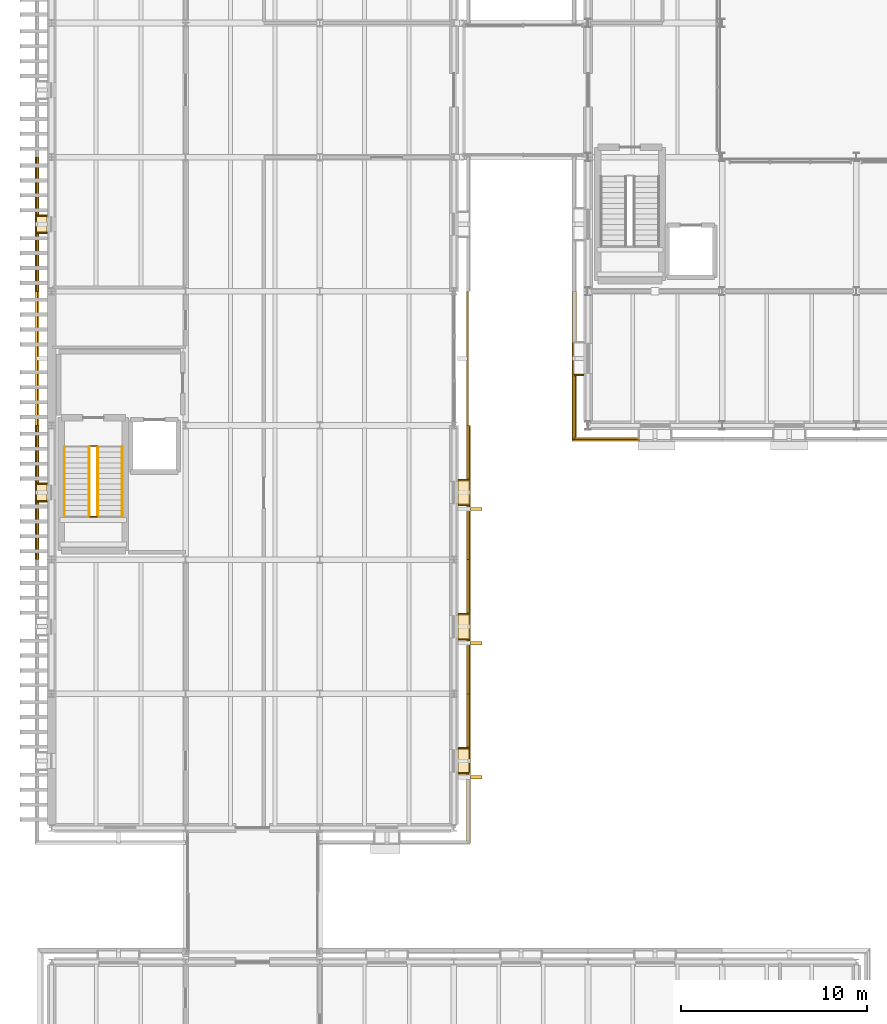
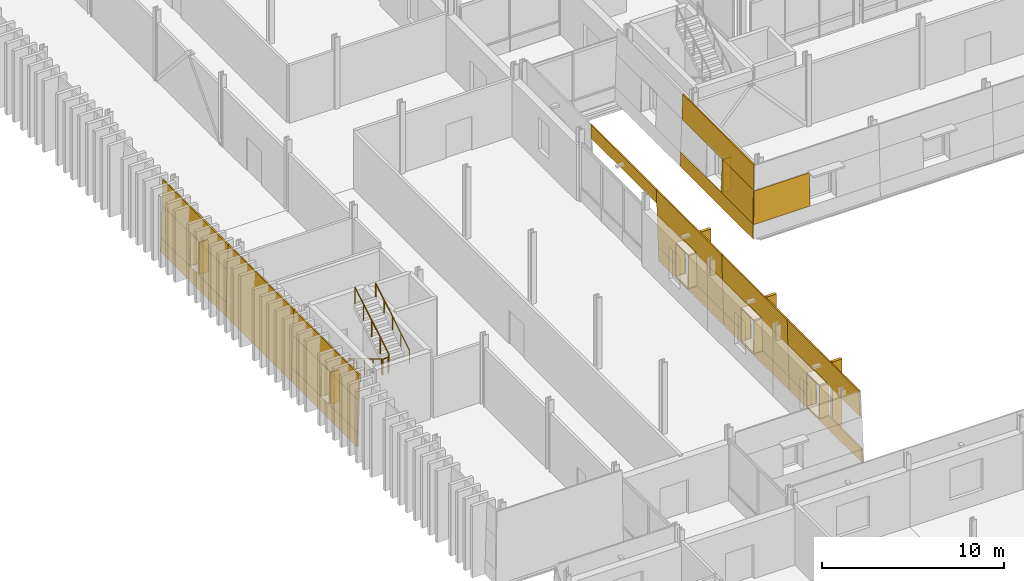
# One storey, part 102 of 121: 46 coverings, 6 railings, 3 shading devices.
"""IFC4 building model written with IfcOpenShell, lengths in metres."""

from ifc_helpers import new_model, si_unit, direction, frame, origin, origin_2d, place, context, subcontext, project, spatial, polyline, rectangle, circle, outline, extrude, material, layer, layer_set, type_object, element, save


model = new_model("IFC4")

# Units and contexts
model_context = context("Model", 3, precision=1e-05, world=origin(), true_north=direction((0.0, 1.0)))
body_context = subcontext(model_context, "Body", "Model", "MODEL_VIEW")
ifc_project = project(units=[si_unit("LENGTHUNIT", "METRE"), si_unit("AREAUNIT", "SQUARE_METRE"), si_unit("VOLUMEUNIT", "CUBIC_METRE"), si_unit("PLANEANGLEUNIT", "RADIAN"), si_unit("MASSUNIT", "GRAM", prefix="KILO")], contexts=[model_context])

# Site, building, storey
site_placement = place(None, origin())
site = spatial("IfcSite", under=ifc_project, at=site_placement, CompositionType="ELEMENT")
building_placement = place(site_placement, origin())
building = spatial("IfcBuilding", under=site, at=building_placement, Name="Narikvali Park Central Library", CompositionType="ELEMENT")
storey_placement = place(building_placement, frame((0.0, 0.0, 5.39990234375)))
storey = spatial("IfcBuildingStorey", under=building, at=storey_placement, Name="L01", CompositionType="ELEMENT", Elevation=5.39990234375)

# Coverings
ifc_material_1 = material(Name="White Honed Limestone Cladding", Category="masonry")
ifc_layer_1 = layer(ifc_material_1, 0.0849609375, Name="White Honed Limestone Cladding")
ifc_layer_set_1 = layer_set([ifc_layer_1], Name="White Honed Limestone Cladding")
covering_type_1 = type_object("IfcCoveringType", Name="Battered White Limestone Facade Cladding Panel", PredefinedType="CLADDING", material=ifc_layer_set_1)
covering_1_placement = place(storey_placement, frame((27.973876953125, 49.573974609375, 0.9501953125), z_axis=(0.0, -0.999435139525, 0.033606574995), x_axis=(1.0, 0.0, 0.0)))
element("IfcCovering", 1, at=covering_1_placement, inside=storey, type_object=covering_type_1, Name="V4 L01 S Battered Limestone Jamb Pier L B01", PredefinedType="CLADDING", context=body_context, shape_type="SweptSolid", body=[
    extrude(outline(polyline([(0.0, 0.0), (3.586181640625, 0.0), (3.586181640625, 2.2011945396684887), (0.07421875, 2.2011945396684887), (0.0, 0.0)])), origin(), (0.0, 0.0, -1.0), 0.0849609375),
])
covering_2_placement = place(storey_placement, frame((27.94189453125, 57.60009765625, 0.0), z_axis=(-0.999434023877, 0.0, 0.033639737186), x_axis=(0.0, -1.0, 0.0)))
element("IfcCovering", 2, at=covering_2_placement, inside=storey, type_object=covering_type_1, Name="V4 L01 W Battered Limestone Spandrel B09", PredefinedType="CLADDING", context=body_context, shape_type="SweptSolid", body=[
    extrude(outline(polyline([(0.0, 0.0), (7.97314453125, 0.0), (7.941162109375, 0.9507334049069504), (0.0, 0.9507334049069504), (0.0, 0.0)])), origin(), (0.0, 0.0, -1.0), 0.0849609375),
])
covering_3_placement = place(storey_placement, frame((28.048095703125, 57.60009765625, 3.150146484375), z_axis=(-0.999436338943, 0.0, 0.0335708862), x_axis=(0.0, -1.0, 0.0)))
element("IfcCovering", 3, at=covering_3_placement, inside=storey, type_object=covering_type_1, Name="V4 L01 W Battered Limestone Lintel B09", PredefinedType="CLADDING", context=body_context, shape_type="SweptSolid", body=[
    extrude(outline(polyline([(0.0, 0.0), (7.8671875, 0.0), (7.8115234375, 1.6508328539414203), (0.0, 1.6508328539414203), (0.0, 0.0)])), origin(), (0.0, 0.0, -1.0), 0.0849609375),
])
covering_4_placement = place(storey_placement, frame((27.973876953125, 53.159912109375, 0.9501953125), z_axis=(-0.999431408105, 0.0, 0.033717361898), x_axis=(0.0, -1.0, 0.0)))
element("IfcCovering", 4, at=covering_4_placement, inside=storey, type_object=covering_type_1, Name="V4 L01 W Battered Limestone Jamb Pier R B09", PredefinedType="CLADDING", context=body_context, shape_type="SweptSolid", body=[
    extrude(outline(polyline([(0.0, 0.0), (3.5009765625, 0.0), (3.427001953125, 2.201202757922529), (0.0, 2.201202757922529), (0.0, 0.0)])), origin(), (0.0, 0.0, -1.0), 0.0849609375),
])
covering_5_placement = place(storey_placement, frame((22.48681640625, 27.998291015625, 0.0), z_axis=(0.999600837605, 0.0, 0.028251822234), x_axis=(0.0, 1.0, 0.0)))
element("IfcCovering", 5, at=covering_5_placement, inside=storey, type_object=covering_type_1, Name="V5 L01 E Battered Limestone Spandrel B01", PredefinedType="CLADDING", context=body_context, shape_type="SweptSolid", body=[
    extrude(outline(polyline([(0.0, 0.0), (8.001708984375, 0.0), (8.001708984375, 0.9505747461924048), (0.02685546875, 0.9505747461924048), (0.0, 0.0)])), origin(), (0.0, 0.0, -1.0), 0.0849609375),
])
covering_6_placement = place(storey_placement, frame((22.39892578125, 28.086181640625, 3.10009765625), z_axis=(0.99959594144, 0.0, 0.02842452914), x_axis=(0.0, 1.0, 0.0)))
element("IfcCovering", 6, at=covering_6_placement, inside=storey, type_object=covering_type_1, Name="V5 L01 E Battered Limestone Lintel B01", PredefinedType="CLADDING", context=body_context, shape_type="SweptSolid", body=[
    extrude(outline(polyline([(0.0, 0.0), (7.913818359375, 0.0), (7.913818359375, 1.7006383293495886), (0.04833984375, 1.7006383293495886), (0.0, 0.0)])), origin(), (0.0, 0.0, -1.0), 0.0849609375),
])
covering_7_placement = place(storey_placement, frame((22.4599609375, 33.0400390625, 0.9501953125), z_axis=(0.99959725493, 0.0, 0.028378300447), x_axis=(0.0, 1.0, 0.0)))
element("IfcCovering", 7, at=covering_7_placement, inside=storey, type_object=covering_type_1, Name="V5 L01 E Battered Limestone Jamb Pier R B01", PredefinedType="CLADDING", context=body_context, shape_type="SweptSolid", body=[
    extrude(outline(polyline([(0.0, 0.0), (2.9599609375, 0.0), (2.9599609375, 2.150768555182125), (0.0, 2.150768555182125), (0.0, 0.0)])), origin(), (0.0, 0.0, -1.0), 0.0849609375),
])
covering_8_placement = place(storey_placement, frame((22.48681640625, 36.0, 0.0), z_axis=(0.999600837605, 0.0, 0.028251822234), x_axis=(0.0, 1.0, 0.0)))
element("IfcCovering", 8, at=covering_8_placement, inside=storey, type_object=covering_type_1, Name="V5 L01 E Battered Limestone Spandrel B02", PredefinedType="CLADDING", context=body_context, shape_type="SweptSolid", body=[
    extrude(outline(polyline([(0.0, 0.0), (7.199951171875, 0.0), (7.199951171875, 0.9505747461924048), (0.0, 0.9505747461924048), (0.0, 0.0)])), origin(), (0.0, 0.0, -1.0), 0.0849609375),
])
covering_9_placement = place(storey_placement, frame((22.39892578125, 36.0, 3.10009765625), z_axis=(0.99959594144, 0.0, 0.02842452914), x_axis=(0.0, 1.0, 0.0)))
element("IfcCovering", 9, at=covering_9_placement, inside=storey, type_object=covering_type_1, Name="V5 L01 E Battered Limestone Lintel B02", PredefinedType="CLADDING", context=body_context, shape_type="SweptSolid", body=[
    extrude(outline(polyline([(0.0, 0.0), (7.199951171875, 0.0), (7.199951171875, 1.7006383293495888), (0.0, 1.7006383293495888), (0.0, 0.0)])), origin(), (0.0, 0.0, -1.0), 0.0849609375),
])
for number, where, z_axis, x_axis, name in (
    (10, (22.4599609375, 36.0, 0.9501953125), (0.99959725493, 0.0, 0.028378300447), (0.0, 1.0, 0.0), "V5 L01 E Battered Limestone Jamb Pier L B02"),
    (11, (22.4599609375, 40.239990234375, 0.9501953125), (0.99959725493, 0.0, 0.028378300447), (0.0, 1.0, 0.0), "V5 L01 E Battered Limestone Jamb Pier R B02"),
):
    element("IfcCovering", number, at=place(storey_placement, frame(where, z_axis=z_axis, x_axis=x_axis)), inside=storey, type_object=covering_type_1, Name=name, PredefinedType="CLADDING", context=body_context, shape_type="SweptSolid", body=[
        extrude(outline(polyline([(0.0, 0.0), (2.9599609375, 0.0), (2.9599609375, 2.150768555182125), (0.0, 2.150768555182125), (0.0, 0.0)])), origin(), (0.0, 0.0, -1.0), 0.0849609375),
    ])
covering_10_placement = place(storey_placement, frame((22.48681640625, 43.199951171875, 0.0), z_axis=(0.999600837605, 0.0, 0.028251822234), x_axis=(0.0, 1.0, 0.0)))
element("IfcCovering", 12, at=covering_10_placement, inside=storey, type_object=covering_type_1, Name="V5 L01 E Battered Limestone Spandrel B03", PredefinedType="CLADDING", context=body_context, shape_type="SweptSolid", body=[
    extrude(outline(polyline([(0.0, 0.0), (7.199951171875, 0.0), (7.199951171875, 0.9505747461924048), (0.0, 0.9505747461924048), (0.0, 0.0)])), origin(), (0.0, 0.0, -1.0), 0.0849609375),
])
covering_11_placement = place(storey_placement, frame((22.39892578125, 43.199951171875, 3.10009765625), z_axis=(0.99959594144, 0.0, 0.02842452914), x_axis=(0.0, 1.0, 0.0)))
element("IfcCovering", 13, at=covering_11_placement, inside=storey, type_object=covering_type_1, Name="V5 L01 E Battered Limestone Lintel B03", PredefinedType="CLADDING", context=body_context, shape_type="SweptSolid", body=[
    extrude(outline(polyline([(0.0, 0.0), (7.199951171875, 0.0), (7.199951171875, 1.7006383293495888), (0.0, 1.7006383293495888), (0.0, 0.0)])), origin(), (0.0, 0.0, -1.0), 0.0849609375),
])
for number, where, z_axis, x_axis, name in (
    (14, (22.4599609375, 43.199951171875, 0.9501953125), (0.99959725493, 0.0, 0.028378300447), (0.0, 1.0, 0.0), "V5 L01 E Battered Limestone Jamb Pier L B03"),
    (15, (22.4599609375, 47.43994140625, 0.9501953125), (0.99959725493, 0.0, 0.028378300447), (0.0, 1.0, 0.0), "V5 L01 E Battered Limestone Jamb Pier R B03"),
):
    element("IfcCovering", number, at=place(storey_placement, frame(where, z_axis=z_axis, x_axis=x_axis)), inside=storey, type_object=covering_type_1, Name=name, PredefinedType="CLADDING", context=body_context, shape_type="SweptSolid", body=[
        extrude(outline(polyline([(0.0, 0.0), (2.9599609375, 0.0), (2.9599609375, 2.150768555182125), (0.0, 2.150768555182125), (0.0, 0.0)])), origin(), (0.0, 0.0, -1.0), 0.0849609375),
    ])
covering_12_placement = place(storey_placement, frame((22.376708984375, 50.39990234375, 3.880126953125), z_axis=(0.999597048098, 0.0, 0.028385584965), x_axis=(0.0, 1.0, 0.0)))
element("IfcCovering", 16, at=covering_12_placement, inside=storey, type_object=covering_type_1, Name="V5 L01 E Battered Limestone Spandrel Header B04", PredefinedType="CLADDING", context=body_context, shape_type="SweptSolid", body=[
    extrude(outline(polyline([(0.0, 0.0), (7.2001953125, 0.0), (7.2001953125, 0.9202927086973737), (0.0, 0.9202927086973737), (0.0, 0.0)])), origin(), (0.0, 0.0, -1.0), 0.0849609375),
])
covering_13_placement = place(storey_placement, frame((-0.88671875, 64.800048828125, 0.0), z_axis=(-0.999600837605, 0.0, 0.028251822234), x_axis=(0.0, -1.0, 0.0)))
element("IfcCovering", 17, at=covering_13_placement, inside=storey, type_object=covering_type_1, Name="V5 L01 W Battered Limestone Spandrel B07", PredefinedType="CLADDING", context=body_context, shape_type="SweptSolid", body=[
    extrude(outline(polyline([(0.0, 0.0), (7.199951171875, 0.0), (7.199951171875, 0.9505747461924048), (0.0, 0.9505747461924048), (0.0, 0.0)])), origin(), (0.0, 0.0, -1.0), 0.0849609375),
])
covering_14_placement = place(storey_placement, frame((-0.798828125, 64.800048828125, 3.10009765625), z_axis=(-0.99959594144, 0.0, 0.02842452914), x_axis=(0.0, -1.0, 0.0)))
element("IfcCovering", 18, at=covering_14_placement, inside=storey, type_object=covering_type_1, Name="V5 L01 W Battered Limestone Lintel B07", PredefinedType="CLADDING", context=body_context, shape_type="SweptSolid", body=[
    extrude(outline(polyline([(0.0, 0.0), (7.199951171875, 0.0), (7.199951171875, 1.7006383293495888), (0.0, 1.7006383293495888), (0.0, 0.0)])), origin(), (0.0, 0.0, -1.0), 0.0849609375),
])
covering_15_placement = place(storey_placement, frame((-0.85986328125, 64.800048828125, 0.9501953125), z_axis=(-0.99959725493, 0.0, 0.028378300447), x_axis=(0.0, -1.0, 0.0)))
element("IfcCovering", 19, at=covering_15_placement, inside=storey, type_object=covering_type_1, Name="V5 L01 W Battered Limestone Jamb Pier L B07", PredefinedType="CLADDING", context=body_context, shape_type="SweptSolid", body=[
    extrude(outline(polyline([(0.0, 0.0), (3.16015625, 0.0), (3.16015625, 2.150768555182125), (0.0, 2.150768555182125), (0.0, 0.0)])), origin(), (0.0, 0.0, -1.0), 0.0849609375),
])
covering_16_placement = place(storey_placement, frame((-0.85986328125, 60.760009765625, 0.9501953125), z_axis=(-0.99959725493, 0.0, 0.028378300447), x_axis=(0.0, -1.0, 0.0)))
element("IfcCovering", 20, at=covering_16_placement, inside=storey, type_object=covering_type_1, Name="V5 L01 W Battered Limestone Jamb Pier R B07", PredefinedType="CLADDING", context=body_context, shape_type="SweptSolid", body=[
    extrude(outline(polyline([(0.0, 0.0), (3.159912109375, 0.0), (3.159912109375, 2.150768555182125), (0.0, 2.150768555182125), (0.0, 0.0)])), origin(), (0.0, 0.0, -1.0), 0.0849609375),
])
covering_17_placement = place(storey_placement, frame((-0.88671875, 57.60009765625, 0.0), z_axis=(-0.999597500885, 0.0, 0.028369635598), x_axis=(0.0, -1.0, 0.0)))
element("IfcCovering", 21, at=covering_17_placement, inside=storey, type_object=covering_type_1, Name="V5 L01 W Battered Limestone Panel B08", PredefinedType="CLADDING", context=body_context, shape_type="SweptSolid", body=[
    extrude(outline(polyline([(0.0, 0.0), (7.2001953125, 0.0), (7.2001953125, 4.8019816214767035), (0.0, 4.8019816214767035), (0.0, 0.0)])), origin(), (0.0, 0.0, -1.0), 0.0849609375),
])
covering_18_placement = place(storey_placement, frame((-0.88671875, 50.39990234375, 0.0), z_axis=(-0.999600837605, 0.0, 0.028251822234), x_axis=(0.0, -1.0, 0.0)))
element("IfcCovering", 22, at=covering_18_placement, inside=storey, type_object=covering_type_1, Name="V5 L01 W Battered Limestone Spandrel B09", PredefinedType="CLADDING", context=body_context, shape_type="SweptSolid", body=[
    extrude(outline(polyline([(0.0, 0.0), (7.199951171875, 0.0), (7.199951171875, 0.9505747461924048), (0.0, 0.9505747461924048), (0.0, 0.0)])), origin(), (0.0, 0.0, -1.0), 0.0849609375),
])
covering_19_placement = place(storey_placement, frame((-0.798828125, 50.39990234375, 3.10009765625), z_axis=(-0.99959594144, 0.0, 0.02842452914), x_axis=(0.0, -1.0, 0.0)))
element("IfcCovering", 23, at=covering_19_placement, inside=storey, type_object=covering_type_1, Name="V5 L01 W Battered Limestone Lintel B09", PredefinedType="CLADDING", context=body_context, shape_type="SweptSolid", body=[
    extrude(outline(polyline([(0.0, 0.0), (7.199951171875, 0.0), (7.199951171875, 1.7006383293495888), (0.0, 1.7006383293495888), (0.0, 0.0)])), origin(), (0.0, 0.0, -1.0), 0.0849609375),
])
covering_20_placement = place(storey_placement, frame((-0.85986328125, 50.39990234375, 0.9501953125), z_axis=(-0.99959725493, 0.0, 0.028378300447), x_axis=(0.0, -1.0, 0.0)))
element("IfcCovering", 24, at=covering_20_placement, inside=storey, type_object=covering_type_1, Name="V5 L01 W Battered Limestone Jamb Pier L B09", PredefinedType="CLADDING", context=body_context, shape_type="SweptSolid", body=[
    extrude(outline(polyline([(0.0, 0.0), (3.159912109375, 0.0), (3.159912109375, 2.150768555182125), (0.0, 2.150768555182125), (0.0, 0.0)])), origin(), (0.0, 0.0, -1.0), 0.0849609375),
])
covering_21_placement = place(storey_placement, frame((-0.85986328125, 46.360107421875, 0.9501953125), z_axis=(-0.99959725493, 0.0, 0.028378300447), x_axis=(0.0, -1.0, 0.0)))
element("IfcCovering", 25, at=covering_21_placement, inside=storey, type_object=covering_type_1, Name="V5 L01 W Battered Limestone Jamb Pier R B09", PredefinedType="CLADDING", context=body_context, shape_type="SweptSolid", body=[
    extrude(outline(polyline([(0.0, 0.0), (3.16015625, 0.0), (3.16015625, 2.150768555182125), (0.0, 2.150768555182125), (0.0, 0.0)])), origin(), (0.0, 0.0, -1.0), 0.0849609375),
])
ifc_layer_2 = layer(ifc_material_1, 0.080078125, Name="White Honed Limestone Cladding")
ifc_layer_set_2 = layer_set([ifc_layer_2], Name="White Honed Limestone Cladding")
covering_type_2 = type_object("IfcCoveringType", Name="Deep Carved White Limestone Window Reveal", PredefinedType="CLADDING", material=ifc_layer_set_2)
covering_22_placement = place(storey_placement, frame((0.0, 0.0, 0.9501953125)))
element("IfcCovering", 26, at=covering_22_placement, inside=storey, type_object=covering_type_2, Name="Deep Stone Reveal Jamb R V4-RVL-L01-W-B09", PredefinedType="CLADDING", context=body_context, shape_type="SweptSolid", body=[
    extrude(outline(polyline([(28.574951171875, 53.159912109375), (28.574951171875, 53.080078125), (28.048095703125, 53.080078125), (28.048095703125, 53.159912109375), (28.574951171875, 53.159912109375)])), origin(), (0.0, 0.0, 1.0), 2.199951171875),
])
covering_23_placement = place(storey_placement, frame((0.0, 0.0, 3.10009765625)))
element("IfcCovering", 27, at=covering_23_placement, inside=storey, type_object=covering_type_2, Name="Deep Stone Reveal Head V5-RVL-L01-E-B01", PredefinedType="CLADDING", context=body_context, shape_type="SweptSolid", body=[
    extrude(outline(polyline([(21.824951171875, 31.719970703125), (21.824951171875, 33.080078125), (22.39892578125, 33.080078125), (22.39892578125, 31.719970703125), (21.824951171875, 31.719970703125)])), origin(), (0.0, 0.0, 1.0), 0.080078125),
])
covering_24_placement = place(storey_placement, frame((0.0, 0.0, 0.8701171875)))
element("IfcCovering", 28, at=covering_24_placement, inside=storey, type_object=covering_type_2, Name="Deep Stone Reveal Sill V5-RVL-L01-E-B01", PredefinedType="CLADDING", context=body_context, shape_type="SweptSolid", body=[
    extrude(outline(polyline([(21.824951171875, 31.719970703125), (21.824951171875, 33.080078125), (22.4599609375, 33.080078125), (22.4599609375, 31.719970703125), (21.824951171875, 31.719970703125)])), origin(), (0.0, 0.0, 1.0), 0.080078125),
])
covering_25_placement = place(storey_placement, frame((0.0, 0.0, 0.9501953125)))
element("IfcCovering", 29, at=covering_25_placement, inside=storey, type_object=covering_type_2, Name="Deep Stone Reveal Jamb L V5-RVL-L01-E-B01", PredefinedType="CLADDING", context=body_context, shape_type="SweptSolid", body=[
    extrude(outline(polyline([(21.824951171875, 31.679931640625), (21.824951171875, 31.760009765625), (22.39892578125, 31.760009765625), (22.39892578125, 31.679931640625), (21.824951171875, 31.679931640625)])), origin(), (0.0, 0.0, 1.0), 2.14990234375),
])
covering_26_placement = place(storey_placement, frame((0.0, 0.0, 0.9501953125)))
element("IfcCovering", 30, at=covering_26_placement, inside=storey, type_object=covering_type_2, Name="Deep Stone Reveal Jamb R V5-RVL-L01-E-B01", PredefinedType="CLADDING", context=body_context, shape_type="SweptSolid", body=[
    extrude(outline(polyline([(21.824951171875, 33.0400390625), (21.824951171875, 33.1201171875), (22.39892578125, 33.1201171875), (22.39892578125, 33.0400390625), (21.824951171875, 33.0400390625)])), origin(), (0.0, 0.0, 1.0), 2.14990234375),
])
covering_27_placement = place(storey_placement, frame((0.0, 0.0, 3.10009765625)))
element("IfcCovering", 31, at=covering_27_placement, inside=storey, type_object=covering_type_2, Name="Deep Stone Reveal Head V5-RVL-L01-E-B02", PredefinedType="CLADDING", context=body_context, shape_type="SweptSolid", body=[
    extrude(outline(polyline([(21.824951171875, 38.919921875), (21.824951171875, 40.280029296875), (22.39892578125, 40.280029296875), (22.39892578125, 38.919921875), (21.824951171875, 38.919921875)])), origin(), (0.0, 0.0, 1.0), 0.080078125),
])
covering_28_placement = place(storey_placement, frame((0.0, 0.0, 0.8701171875)))
element("IfcCovering", 32, at=covering_28_placement, inside=storey, type_object=covering_type_2, Name="Deep Stone Reveal Sill V5-RVL-L01-E-B02", PredefinedType="CLADDING", context=body_context, shape_type="SweptSolid", body=[
    extrude(outline(polyline([(21.824951171875, 38.919921875), (21.824951171875, 40.280029296875), (22.4599609375, 40.280029296875), (22.4599609375, 38.919921875), (21.824951171875, 38.919921875)])), origin(), (0.0, 0.0, 1.0), 0.080078125),
])
covering_29_placement = place(storey_placement, frame((0.0, 0.0, 0.9501953125)))
element("IfcCovering", 33, at=covering_29_placement, inside=storey, type_object=covering_type_2, Name="Deep Stone Reveal Jamb L V5-RVL-L01-E-B02", PredefinedType="CLADDING", context=body_context, shape_type="SweptSolid", body=[
    extrude(outline(polyline([(21.824951171875, 38.8798828125), (21.824951171875, 38.9599609375), (22.39892578125, 38.9599609375), (22.39892578125, 38.8798828125), (21.824951171875, 38.8798828125)])), origin(), (0.0, 0.0, 1.0), 2.14990234375),
])
covering_30_placement = place(storey_placement, frame((0.0, 0.0, 0.9501953125)))
element("IfcCovering", 34, at=covering_30_placement, inside=storey, type_object=covering_type_2, Name="Deep Stone Reveal Jamb R V5-RVL-L01-E-B02", PredefinedType="CLADDING", context=body_context, shape_type="SweptSolid", body=[
    extrude(outline(polyline([(21.824951171875, 40.239990234375), (21.824951171875, 40.320068359375), (22.39892578125, 40.320068359375), (22.39892578125, 40.239990234375), (21.824951171875, 40.239990234375)])), origin(), (0.0, 0.0, 1.0), 2.14990234375),
])
covering_31_placement = place(storey_placement, frame((0.0, 0.0, 3.10009765625)))
element("IfcCovering", 35, at=covering_31_placement, inside=storey, type_object=covering_type_2, Name="Deep Stone Reveal Head V5-RVL-L01-E-B03", PredefinedType="CLADDING", context=body_context, shape_type="SweptSolid", body=[
    extrude(outline(polyline([(21.824951171875, 46.1201171875), (21.824951171875, 47.47998046875), (22.39892578125, 47.47998046875), (22.39892578125, 46.1201171875), (21.824951171875, 46.1201171875)])), origin(), (0.0, 0.0, 1.0), 0.080078125),
])
covering_32_placement = place(storey_placement, frame((0.0, 0.0, 0.8701171875)))
element("IfcCovering", 36, at=covering_32_placement, inside=storey, type_object=covering_type_2, Name="Deep Stone Reveal Sill V5-RVL-L01-E-B03", PredefinedType="CLADDING", context=body_context, shape_type="SweptSolid", body=[
    extrude(outline(polyline([(21.824951171875, 46.1201171875), (21.824951171875, 47.47998046875), (22.4599609375, 47.47998046875), (22.4599609375, 46.1201171875), (21.824951171875, 46.1201171875)])), origin(), (0.0, 0.0, 1.0), 0.080078125),
])
covering_33_placement = place(storey_placement, frame((0.0, 0.0, 0.9501953125)))
element("IfcCovering", 37, at=covering_33_placement, inside=storey, type_object=covering_type_2, Name="Deep Stone Reveal Jamb L V5-RVL-L01-E-B03", PredefinedType="CLADDING", context=body_context, shape_type="SweptSolid", body=[
    extrude(outline(polyline([(21.824951171875, 46.080078125), (21.824951171875, 46.159912109375), (22.39892578125, 46.159912109375), (22.39892578125, 46.080078125), (21.824951171875, 46.080078125)])), origin(), (0.0, 0.0, 1.0), 2.14990234375),
])
covering_34_placement = place(storey_placement, frame((0.0, 0.0, 0.9501953125)))
element("IfcCovering", 38, at=covering_34_placement, inside=storey, type_object=covering_type_2, Name="Deep Stone Reveal Jamb R V5-RVL-L01-E-B03", PredefinedType="CLADDING", context=body_context, shape_type="SweptSolid", body=[
    extrude(outline(polyline([(21.824951171875, 47.43994140625), (21.824951171875, 47.52001953125), (22.39892578125, 47.52001953125), (22.39892578125, 47.43994140625), (21.824951171875, 47.43994140625)])), origin(), (0.0, 0.0, 1.0), 2.14990234375),
])
covering_35_placement = place(storey_placement, frame((0.0, 0.0, 3.10009765625)))
element("IfcCovering", 39, at=covering_35_placement, inside=storey, type_object=covering_type_2, Name="Deep Stone Reveal Head V5-RVL-L01-W-B07", PredefinedType="CLADDING", context=body_context, shape_type="SweptSolid", body=[
    extrude(outline(polyline([(-0.22509765625, 61.679931640625), (-0.22509765625, 60.719970703125), (-0.798828125, 60.719970703125), (-0.798828125, 61.679931640625), (-0.22509765625, 61.679931640625)])), origin(), (0.0, 0.0, 1.0), 0.080078125),
])
covering_36_placement = place(storey_placement, frame((0.0, 0.0, 0.8701171875)))
element("IfcCovering", 40, at=covering_36_placement, inside=storey, type_object=covering_type_2, Name="Deep Stone Reveal Sill V5-RVL-L01-W-B07", PredefinedType="CLADDING", context=body_context, shape_type="SweptSolid", body=[
    extrude(outline(polyline([(-0.22509765625, 61.679931640625), (-0.22509765625, 60.719970703125), (-0.85986328125, 60.719970703125), (-0.85986328125, 61.679931640625), (-0.22509765625, 61.679931640625)])), origin(), (0.0, 0.0, 1.0), 0.080078125),
])
covering_37_placement = place(storey_placement, frame((0.0, 0.0, 0.9501953125)))
element("IfcCovering", 41, at=covering_37_placement, inside=storey, type_object=covering_type_2, Name="Deep Stone Reveal Jamb L V5-RVL-L01-W-B07", PredefinedType="CLADDING", context=body_context, shape_type="SweptSolid", body=[
    extrude(outline(polyline([(-0.22509765625, 61.719970703125), (-0.22509765625, 61.639892578125), (-0.798828125, 61.639892578125), (-0.798828125, 61.719970703125), (-0.22509765625, 61.719970703125)])), origin(), (0.0, 0.0, 1.0), 2.14990234375),
])
covering_38_placement = place(storey_placement, frame((0.0, 0.0, 0.9501953125)))
element("IfcCovering", 42, at=covering_38_placement, inside=storey, type_object=covering_type_2, Name="Deep Stone Reveal Jamb R V5-RVL-L01-W-B07", PredefinedType="CLADDING", context=body_context, shape_type="SweptSolid", body=[
    extrude(outline(polyline([(-0.22509765625, 60.760009765625), (-0.22509765625, 60.679931640625), (-0.798828125, 60.679931640625), (-0.798828125, 60.760009765625), (-0.22509765625, 60.760009765625)])), origin(), (0.0, 0.0, 1.0), 2.14990234375),
])
covering_39_placement = place(storey_placement, frame((0.0, 0.0, 3.10009765625)))
element("IfcCovering", 43, at=covering_39_placement, inside=storey, type_object=covering_type_2, Name="Deep Stone Reveal Head V5-RVL-L01-W-B09", PredefinedType="CLADDING", context=body_context, shape_type="SweptSolid", body=[
    extrude(outline(polyline([(-0.22509765625, 47.280029296875), (-0.22509765625, 46.320068359375), (-0.798828125, 46.320068359375), (-0.798828125, 47.280029296875), (-0.22509765625, 47.280029296875)])), origin(), (0.0, 0.0, 1.0), 0.080078125),
])
covering_40_placement = place(storey_placement, frame((0.0, 0.0, 0.8701171875)))
element("IfcCovering", 44, at=covering_40_placement, inside=storey, type_object=covering_type_2, Name="Deep Stone Reveal Sill V5-RVL-L01-W-B09", PredefinedType="CLADDING", context=body_context, shape_type="SweptSolid", body=[
    extrude(outline(polyline([(-0.22509765625, 47.280029296875), (-0.22509765625, 46.320068359375), (-0.85986328125, 46.320068359375), (-0.85986328125, 47.280029296875), (-0.22509765625, 47.280029296875)])), origin(), (0.0, 0.0, 1.0), 0.080078125),
])
covering_41_placement = place(storey_placement, frame((0.0, 0.0, 0.9501953125)))
element("IfcCovering", 45, at=covering_41_placement, inside=storey, type_object=covering_type_2, Name="Deep Stone Reveal Jamb L V5-RVL-L01-W-B09", PredefinedType="CLADDING", context=body_context, shape_type="SweptSolid", body=[
    extrude(outline(polyline([(-0.22509765625, 47.320068359375), (-0.22509765625, 47.239990234375), (-0.798828125, 47.239990234375), (-0.798828125, 47.320068359375), (-0.22509765625, 47.320068359375)])), origin(), (0.0, 0.0, 1.0), 2.14990234375),
])
covering_42_placement = place(storey_placement, frame((0.0, 0.0, 0.9501953125)))
element("IfcCovering", 46, at=covering_42_placement, inside=storey, type_object=covering_type_2, Name="Deep Stone Reveal Jamb R V5-RVL-L01-W-B09", PredefinedType="CLADDING", context=body_context, shape_type="SweptSolid", body=[
    extrude(outline(polyline([(-0.22509765625, 46.360107421875), (-0.22509765625, 46.280029296875), (-0.798828125, 46.280029296875), (-0.798828125, 46.360107421875), (-0.22509765625, 46.360107421875)])), origin(), (0.0, 0.0, 1.0), 2.14990234375),
])

# Railings
ifc_material_2 = material(Name="Brushed Stainless Steel S355", Category="steel")
ifc_layer_3 = layer(ifc_material_2, 0.044921875, Name="Brushed Stainless Steel S355")
ifc_layer_set_3 = layer_set([ifc_layer_3], Name="Brushed Stainless Steel S355")
railing_type_1 = type_object("IfcRailingType", Name="Stair Tubular Steel Handrail 900", PredefinedType="HANDRAIL", material=ifc_layer_set_3)
railing_1_placement = place(storey_placement, frame((0.699951171875, 49.25, 0.171630859375)))
element("IfcRailing", 47, at=railing_1_placement, inside=storey, type_object=railing_type_1, Name="L01 ST-09 stair handrail 1", PredefinedType="HANDRAIL", context=body_context, shape_type="SweptSolid", body=[
    extrude(circle(Radius=0.02392578125, at=origin_2d()), frame((0.0, 0.0, 0.8759765625), z_axis=(0.0, -0.856934400257, 0.515425487977), x_axis=(1.0, 0.0, 0.0)), (0.0, 0.0, 1.0), 4.32373046875),
    extrude(circle(Radius=0.02099609375, at=origin_2d()), origin(), (0.0, 0.0, 1.0), 0.851806640625),
    extrude(circle(Radius=0.02099609375, at=origin_2d()), frame((0.0, -0.92626953125, 0.55712890625)), (0.0, 0.0, 1.0), 0.851806640625),
    extrude(circle(Radius=0.02099609375, at=origin_2d()), frame((0.0, -1.8525390625, 1.1142578125)), (0.0, 0.0, 1.0), 0.851806640625),
    extrude(circle(Radius=0.02099609375, at=origin_2d()), frame((0.0, -2.77880859375, 1.67138671875)), (0.0, 0.0, 1.0), 0.851806640625),
    extrude(circle(Radius=0.02099609375, at=origin_2d()), frame((0.0, -3.705078125, 2.228515625)), (0.0, 0.0, 1.0), 0.851806640625),
])
railing_2_placement = place(storey_placement, frame((3.800048828125, 45.544921875, 2.571533203125)))
element("IfcRailing", 48, at=railing_2_placement, inside=storey, type_object=railing_type_1, Name="L01 ST-09 stair handrail 2", PredefinedType="HANDRAIL", context=body_context, shape_type="SweptSolid", body=[
    extrude(circle(Radius=0.02392578125, at=origin_2d()), frame((0.0, 0.0, 0.8759765625), z_axis=(0.0, 0.856934400257, 0.515425487977), x_axis=(-1.0, 0.0, 0.0)), (0.0, 0.0, 1.0), 4.32373046875),
    extrude(circle(Radius=0.02099609375, at=origin_2d()), origin(), (0.0, 0.0, 1.0), 0.851806640625),
    extrude(circle(Radius=0.02099609375, at=origin_2d()), frame((0.0, 0.92626953125, 0.55712890625)), (0.0, 0.0, 1.0), 0.851806640625),
    extrude(circle(Radius=0.02099609375, at=origin_2d()), frame((0.0, 1.8525390625, 1.1142578125)), (0.0, 0.0, 1.0), 0.851806640625),
    extrude(circle(Radius=0.02099609375, at=origin_2d()), frame((0.0, 2.77880859375, 1.67138671875)), (0.0, 0.0, 1.0), 0.851806640625),
    extrude(circle(Radius=0.02099609375, at=origin_2d()), frame((0.0, 3.705078125, 2.228515625)), (0.0, 0.0, 1.0), 0.851806640625),
])
ifc_material_3 = material(Name="Powder-Coated Steel S275", Category="steel")
ifc_layer_4 = layer(ifc_material_3, 0.050048828125, Name="Powder-Coated Steel S275")
ifc_layer_set_4 = layer_set([ifc_layer_4], Name="Powder-Coated Steel S275")
railing_type_2 = type_object("IfcRailingType", Name="Stair Well Steel Guardrail 1100", PredefinedType="GUARDRAIL", material=ifc_layer_set_4)
railing_3_placement = place(storey_placement, frame((2.02001953125, 49.25, 0.171630859375)))
element("IfcRailing", 49, at=railing_3_placement, inside=storey, type_object=railing_type_2, Name="L01 ST-09 stair guard 1", PredefinedType="GUARDRAIL", context=body_context, shape_type="SweptSolid", body=[
    extrude(circle(Radius=0.02392578125, at=origin_2d()), frame((0.0, 0.0, 1.076171875), z_axis=(0.0, -0.856934400257, 0.515425487977), x_axis=(1.0, 0.0, 0.0)), (0.0, 0.0, 1.0), 4.32373046875),
    extrude(circle(Radius=0.02099609375, at=origin_2d()), origin(), (0.0, 0.0, 1.0), 1.052001953125),
    extrude(circle(Radius=0.02099609375, at=origin_2d()), frame((0.0, -0.92626953125, 0.55712890625)), (0.0, 0.0, 1.0), 1.052001953125),
    extrude(circle(Radius=0.02099609375, at=origin_2d()), frame((0.0, -1.8525390625, 1.1142578125)), (0.0, 0.0, 1.0), 1.052001953125),
    extrude(circle(Radius=0.02099609375, at=origin_2d()), frame((0.0, -2.77880859375, 1.67138671875)), (0.0, 0.0, 1.0), 1.052001953125),
    extrude(circle(Radius=0.02099609375, at=origin_2d()), frame((0.0, -3.705078125, 2.228515625)), (0.0, 0.0, 1.0), 1.052001953125),
])
railing_4_placement = place(storey_placement, frame((2.070068359375, 45.4951171875, 2.400146484375)))
element("IfcRailing", 50, at=railing_4_placement, inside=storey, type_object=railing_type_2, Name="L01 ST-09 stair guard 2", PredefinedType="GUARDRAIL", context=body_context, shape_type="SweptSolid", body=[
    extrude(circle(Radius=0.02392578125, at=origin_2d()), frame((0.0, 0.0, 1.076171875), z_axis=(1.0, 0.0, 0.0), x_axis=(0.0, 1.0, 0.0)), (0.0, 0.0, 1.0), 0.35986328125),
    extrude(circle(Radius=0.02099609375, at=origin_2d()), origin(), (0.0, 0.0, 1.0), 1.052001953125),
    extrude(circle(Radius=0.02099609375, at=origin_2d()), frame((0.35986328125, 0.0, 0.0)), (0.0, 0.0, 1.0), 1.052001953125),
])
railing_5_placement = place(storey_placement, frame((2.47998046875, 45.544921875, 2.571533203125)))
element("IfcRailing", 51, at=railing_5_placement, inside=storey, type_object=railing_type_2, Name="L01 ST-09 stair guard 3", PredefinedType="GUARDRAIL", context=body_context, shape_type="SweptSolid", body=[
    extrude(circle(Radius=0.02392578125, at=origin_2d()), frame((0.0, 0.0, 1.076171875), z_axis=(0.0, 0.856934400257, 0.515425487977), x_axis=(-1.0, 0.0, 0.0)), (0.0, 0.0, 1.0), 4.32373046875),
    extrude(circle(Radius=0.02099609375, at=origin_2d()), origin(), (0.0, 0.0, 1.0), 1.052001953125),
    extrude(circle(Radius=0.02099609375, at=origin_2d()), frame((0.0, 0.92626953125, 0.55712890625)), (0.0, 0.0, 1.0), 1.052001953125),
    extrude(circle(Radius=0.02099609375, at=origin_2d()), frame((0.0, 1.8525390625, 1.1142578125)), (0.0, 0.0, 1.0), 1.052001953125),
    extrude(circle(Radius=0.02099609375, at=origin_2d()), frame((0.0, 2.77880859375, 1.67138671875)), (0.0, 0.0, 1.0), 1.052001953125),
    extrude(circle(Radius=0.02099609375, at=origin_2d()), frame((0.0, 3.705078125, 2.228515625)), (0.0, 0.0, 1.0), 1.052001953125),
])
railing_6_placement = place(storey_placement, frame((2.070068359375, 49.300048828125, 0.0)))
element("IfcRailing", 52, at=railing_6_placement, inside=storey, type_object=railing_type_2, Name="L01 ST-09 stair guard 4", PredefinedType="GUARDRAIL", context=body_context, shape_type="SweptSolid", body=[
    extrude(circle(Radius=0.02392578125, at=origin_2d()), frame((0.0, 0.0, 1.076171875), z_axis=(1.0, 0.0, 0.0), x_axis=(0.0, 1.0, 0.0)), (0.0, 0.0, 1.0), 0.35986328125),
    extrude(circle(Radius=0.02099609375, at=origin_2d()), origin(), (0.0, 0.0, 1.0), 1.052001953125),
    extrude(circle(Radius=0.02099609375, at=origin_2d()), frame((0.35986328125, 0.0, 0.0)), (0.0, 0.0, 1.0), 1.052001953125),
])

# Shading devices
ifc_material_4 = material(Name="Kiln-Fired Terracotta Red Brick", Category="masonry")
ifc_layer_5 = layer(ifc_material_4, 0.179931640625, Name="Kiln-Fired Terracotta Red Brick")
ifc_layer_set_5 = layer_set([ifc_layer_5], Name="Kiln-Fired Terracotta Red Brick")
shading_device_type = type_object("IfcShadingDeviceType", Name="Terracotta Red Brick Vertical Sun Fin 620x180", PredefinedType="JALOUSIE", material=ifc_layer_set_5)
for number, where, z_axis, x_axis, name in (
    (53, (22.798828125, 31.52001953125, 0.150146484375), (0.0, 0.0, 1.0), (1.0, 0.0, 0.0), "West Stacks Red Brick Sun Louver 002"),
    (54, (22.798828125, 38.719970703125, 0.150146484375), (0.0, 0.0, 1.0), (1.0, 0.0, 0.0), "West Stacks Red Brick Sun Louver 006"),
    (55, (22.798828125, 45.919921875, 0.150146484375), (0.0, 0.0, 1.0), (1.0, 0.0, 0.0), "West Stacks Red Brick Sun Louver 010"),
):
    element("IfcShadingDevice", number, at=place(storey_placement, frame(where, z_axis=z_axis, x_axis=x_axis)), inside=storey, type_object=shading_device_type, Name=name, PredefinedType="JALOUSIE", context=body_context, shape_type="SweptSolid", body=[
        extrude(rectangle(XDim=0.6201171875, YDim=0.179931640625, at=origin_2d()), origin(), (0.0, 0.0, 1.0), 4.5),
    ])

save(model, "model.ifc")
